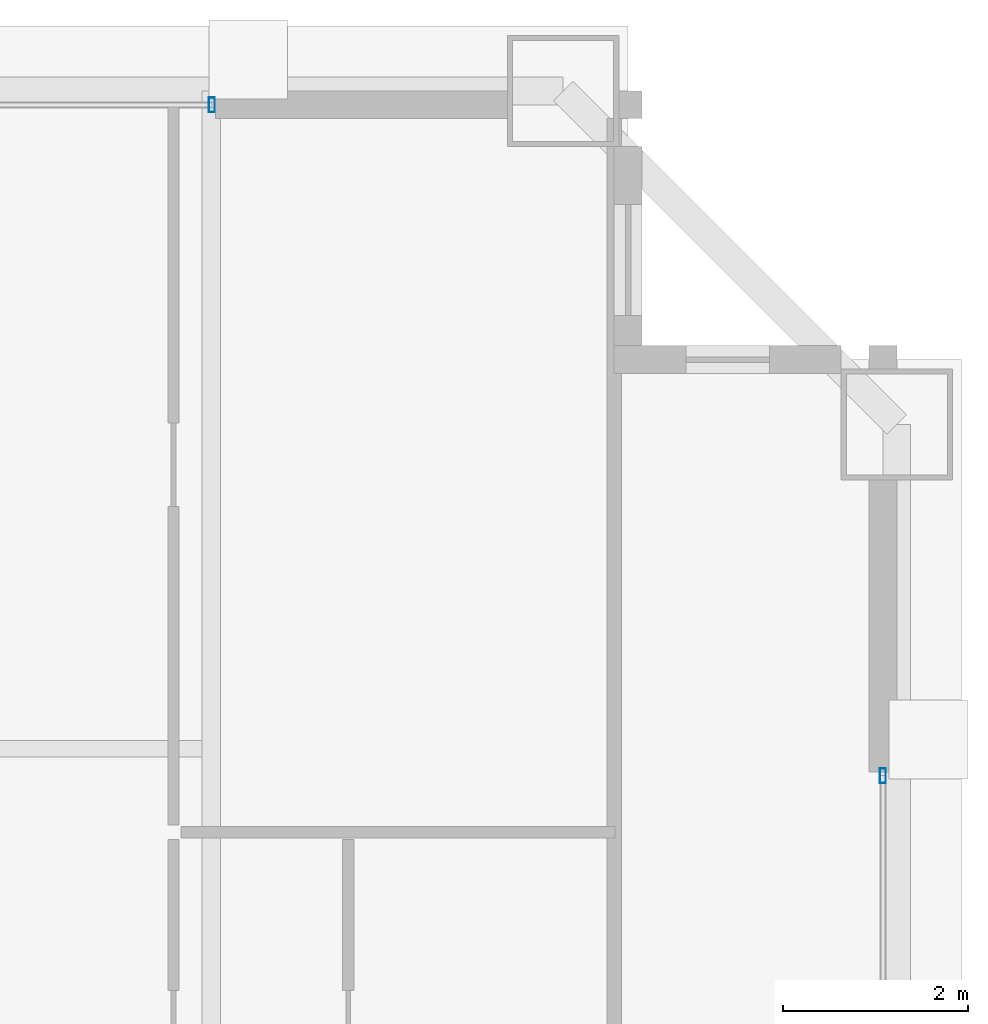
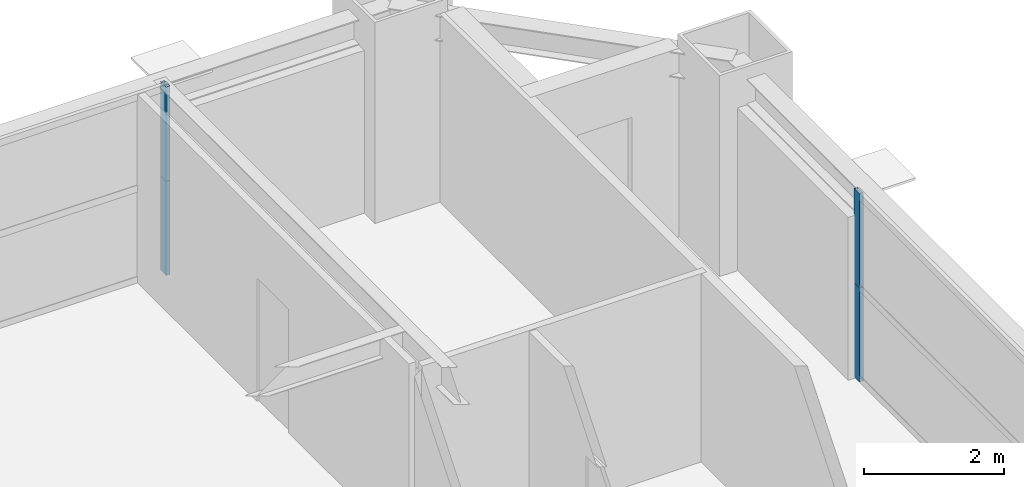
# One storey, part 30 of 37: 4 members, 2 elements without a shape of their own.
"""IFC4 building model written with IfcOpenShell, lengths in metres."""

from ifc_helpers import new_model, si_unit, direction, frame, origin, origin_2d, place, context, subcontext, project, spatial, hollow_rectangle, extrude, source, transform, mapped, material, layer, layer_set, material_profile, profile_set, type_object, element, aggregate, save


model = new_model("IFC4")

# Units and contexts
model_context = context("Model", 3, precision=1e-05, world=origin(), true_north=direction((0.0, 1.0)))
body_context = subcontext(model_context, "Body", "Model", "MODEL_VIEW")
ifc_project = project(units=[si_unit("LENGTHUNIT", "METRE"), si_unit("AREAUNIT", "SQUARE_METRE"), si_unit("VOLUMEUNIT", "CUBIC_METRE"), si_unit("PLANEANGLEUNIT", "RADIAN"), si_unit("MASSUNIT", "GRAM", prefix="KILO"), si_unit("THERMODYNAMICTEMPERATUREUNIT", "KELVIN"), si_unit("POWERUNIT", "WATT")], contexts=[model_context])

# Site, building, storey
site_placement = place(None, origin())
site = spatial("IfcSite", under=ifc_project, at=site_placement, CompositionType="ELEMENT")
building_placement = place(site_placement, origin())
building = spatial("IfcBuilding", under=site, at=building_placement, Name="Yuzanri Waterfront Tower", CompositionType="ELEMENT")
storey_placement = place(building_placement, frame((0.0, 0.0, 252.10009765625)))
storey = spatial("IfcBuildingStorey", under=building, at=storey_placement, Name="L67", CompositionType="ELEMENT", Elevation=252.10009765625)

# Curtain wall, members
ifc_material_1 = material(Name="Anodized Architectural Bronze", Category="metal")
ifc_layer = layer(ifc_material_1, 0.159912109375)
ifc_layer_set = layer_set([ifc_layer], Name="Anodized Architectural Bronze")
curtain_wall_type = type_object("IfcCurtainWallType", Name="Anodized Bronze Mid-Rise Residential Acoustic Unitized Curtain Wall 7200", PredefinedType="NOTDEFINED", material=ifc_layer_set)
curtain_wall_1_placement = place(storey_placement, origin())
curtain_wall_1 = element("IfcCurtainWall", 1, at=curtain_wall_1_placement, inside=storey, type_object=curtain_wall_type, Name="L67 Curtain Wall CW-L67-NR", PredefinedType="NOTDEFINED")
ifc_material_2 = material(Name="Anodized Architectural Bronze", Category="metal")
ifc_material_profile = material_profile(ifc_material_2, hollow_rectangle(XDim=0.06494140625, YDim=0.159912109375, WallThickness=0.00341796875, at=origin_2d()), Name="CWM 65x160")
ifc_profile_set = profile_set([ifc_material_profile], Name="Anodized Architectural Bronze")
member_type = type_object("IfcMemberType", Name="Anodized Bronze Upper-Zone Curtain-Wall Mullion 65x160", PredefinedType="MULLION", material=ifc_profile_set)
shared_shape = source(origin(), body_context, "Body", "SweptSolid", [
    extrude(hollow_rectangle(XDim=0.06494140625, YDim=0.159912109375, WallThickness=0.00341796875, at=origin_2d()), origin(), (0.0, 0.0, 1.0), 1.637939453125),
])
member_1_placement = place(storey_placement, frame((50.2099609375, 46.25, 0.0), z_axis=(0.0, 0.0, 1.0), x_axis=(1.0, 0.0, 0.0)))
member_1 = element("IfcMember", 2, at=member_1_placement, type_object=member_type, Name="CW-L67-NR Lower Mullion 02", PredefinedType="MULLION", context=body_context, shape_type="MappedRepresentation", body=[
    mapped(shared_shape, transform((0.0, 0.0, 0.0), scale=1.0)),
])
member_2_placement = place(storey_placement, frame((50.2099609375, 46.25, 1.641845703125), z_axis=(0.0, 0.0, 1.0), x_axis=(1.0, 0.0, 0.0)))
member_2 = element("IfcMember", 3, at=member_2_placement, type_object=member_type, Name="CW-L67-NR Upper Mullion 02", PredefinedType="MULLION", context=body_context, shape_type="MappedRepresentation", body=[
    mapped(shared_shape, transform((0.0, 0.0, 0.0), scale=1.0)),
])
aggregate(curtain_wall_1, [member_1, member_2])

curtain_wall_2_placement = place(storey_placement, origin())
curtain_wall_2 = element("IfcCurtainWall", 4, at=curtain_wall_2_placement, inside=storey, type_object=curtain_wall_type, Name="L67 Curtain Wall CW-L67-ER", PredefinedType="NOTDEFINED")
member_3_placement = place(storey_placement, frame((57.449951171875, 39.010009765625, 0.0), z_axis=(0.0, 0.0, 1.0), x_axis=(1.0, 0.0, 0.0)))
member_3 = element("IfcMember", 5, at=member_3_placement, type_object=member_type, Name="CW-L67-ER Lower Mullion 02", PredefinedType="MULLION", context=body_context, shape_type="MappedRepresentation", body=[
    mapped(shared_shape, transform((0.0, 0.0, 0.0), scale=1.0)),
])
member_4_placement = place(storey_placement, frame((57.449951171875, 39.010009765625, 1.641845703125), z_axis=(0.0, 0.0, 1.0), x_axis=(1.0, 0.0, 0.0)))
member_4 = element("IfcMember", 6, at=member_4_placement, type_object=member_type, Name="CW-L67-ER Upper Mullion 02", PredefinedType="MULLION", context=body_context, shape_type="MappedRepresentation", body=[
    mapped(shared_shape, transform((0.0, 0.0, 0.0), scale=1.0)),
])
aggregate(curtain_wall_2, [member_3, member_4])

save(model, "model.ifc")
